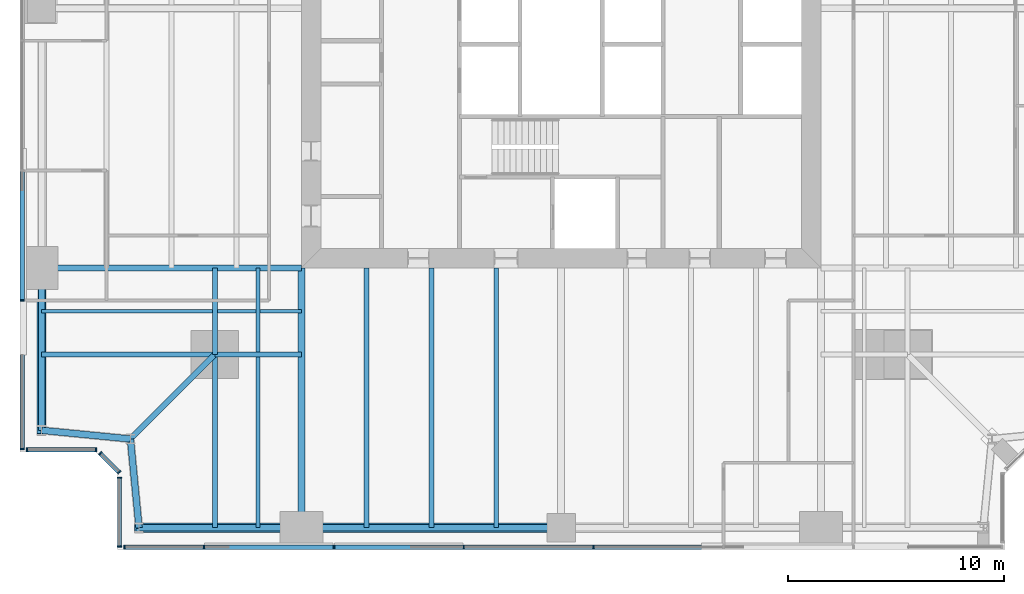
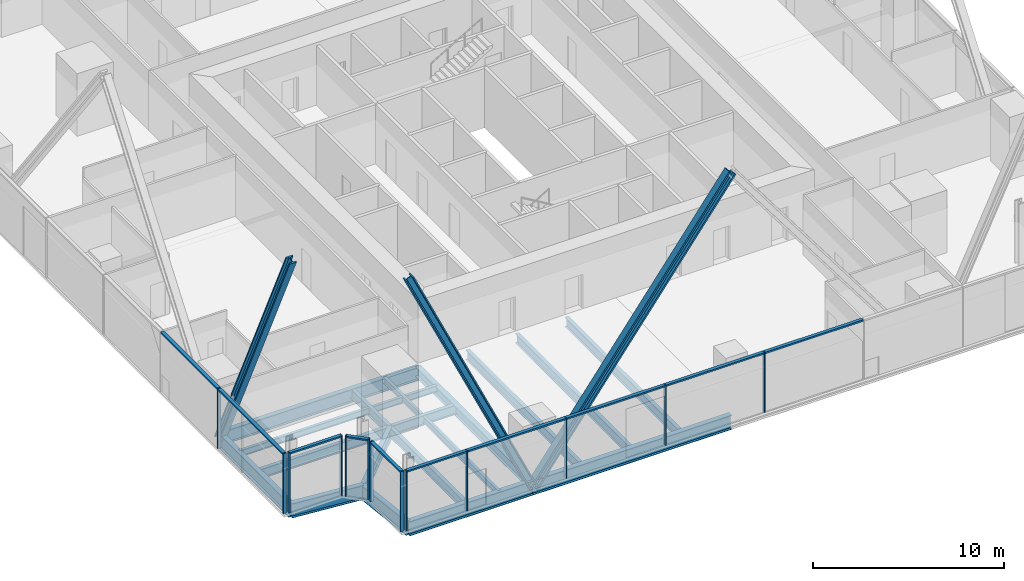
# One storey, part 2 of 14: 26 members, 20 beams, 5 elements without a shape of their own.
"""IFC4 building model written with IfcOpenShell, lengths in metres."""

from ifc_helpers import new_model, si_unit, direction, frame, origin, origin_2d, place, context, subcontext, project, spatial, rectangle, i_section, extrude, material, material_profile, profile_set, type_object, element, aggregate, save


model = new_model("IFC4")

# Units and contexts
model_context = context("Model", 3, precision=1e-05, world=origin(), true_north=direction((0.0, 1.0)))
body_context = subcontext(model_context, "Body", "Model", "MODEL_VIEW")
ifc_project = project(units=[si_unit("LENGTHUNIT", "METRE"), si_unit("AREAUNIT", "SQUARE_METRE"), si_unit("VOLUMEUNIT", "CUBIC_METRE"), si_unit("PLANEANGLEUNIT", "RADIAN"), si_unit("MASSUNIT", "GRAM", prefix="KILO")], contexts=[model_context])

# Site, building, storey
site_placement = place(None, origin())
site = spatial("IfcSite", under=ifc_project, at=site_placement, CompositionType="ELEMENT")
building_placement = place(site_placement, origin())
building = spatial("IfcBuilding", under=site, at=building_placement, Name="Fenwick Lantern Interchange", CompositionType="ELEMENT")
storey_placement = place(building_placement, frame((0.0, 0.0, 130.39990234375)))
storey = spatial("IfcBuildingStorey", under=building, at=storey_placement, Name="L30", CompositionType="ELEMENT", Elevation=130.39990234375)

# Beams
ifc_material_1 = material(Name="Steel ASTM A992 Grade 50", Category="steel")
ifc_material_profile_1 = material_profile(ifc_material_1, i_section(OverallWidth=0.3046875, OverallDepth=0.911865234375, WebThickness=0.015869140625, FlangeThickness=0.02392578125, at=origin_2d()), Name="W36X150")
ifc_profile_set_1 = profile_set([ifc_material_profile_1], Name="Steel ASTM A992 Grade 50")
beam_type_1 = type_object("IfcBeamType", Name="EDGE BEAM W36X150", PredefinedType="SPANDREL", material=ifc_profile_set_1)
beam_1_placement = place(storey_placement, frame((5.5, 1.0, -0.605712890625), z_axis=(1.0, 0.0, 0.0), x_axis=(0.0, 1.0, 0.0)))
element("IfcBeam", 1, at=beam_1_placement, inside=storey, type_object=beam_type_1, Name="L30/FR/S/EB1", PredefinedType="SPANDREL", context=body_context, shape_type="SweptSolid", body=[
    extrude(i_section(OverallWidth=0.3046875, OverallDepth=0.911865234375, WebThickness=0.015869140625, FlangeThickness=0.02392578125, at=origin_2d()), origin(), (0.0, 0.0, 1.0), 7.5),
])
beam_2_placement = place(storey_placement, frame((13.0, 1.0, -0.605712890625), z_axis=(1.0, 0.0, 0.0), x_axis=(0.0, 1.0, 0.0)))
element("IfcBeam", 2, at=beam_2_placement, inside=storey, type_object=beam_type_1, Name="L30/FR/S/EB2", PredefinedType="SPANDREL", context=body_context, shape_type="SweptSolid", body=[
    extrude(i_section(OverallWidth=0.3046875, OverallDepth=0.911865234375, WebThickness=0.015869140625, FlangeThickness=0.02392578125, at=origin_2d()), origin(), (0.0, 0.0, 1.0), 12.0),
])
beam_3_placement = place(storey_placement, frame((1.0, 13.0, -0.605712890625), z_axis=(0.0, -1.0, 0.0), x_axis=(1.0, 0.0, 0.0)))
element("IfcBeam", 3, at=beam_3_placement, inside=storey, type_object=beam_type_1, Name="L30/FR/W/EB4", PredefinedType="SPANDREL", context=body_context, shape_type="SweptSolid", body=[
    extrude(i_section(OverallWidth=0.3046875, OverallDepth=0.911865234375, WebThickness=0.015869140625, FlangeThickness=0.02392578125, at=origin_2d()), origin(), (0.0, 0.0, 1.0), 7.5),
])
for number, where, z_axis, x_axis, name in (
    (4, (1.0, 5.5, -0.605712890625), (0.995277148028, -0.097074191287, 0.0), (0.097074191287, 0.995277148028, 0.0), "L30/FR/W/EBR1"),
    (5, (5.10009765625, 5.10009765625, -0.605712890625), (0.097074191287, -0.995277148028, 0.0), (0.995277148028, 0.097074191287, 0.0), "L30/FR/W/EBR2"),
):
    element("IfcBeam", number, at=place(storey_placement, frame(where, z_axis=z_axis, x_axis=x_axis)), inside=storey, type_object=beam_type_1, Name=name, PredefinedType="SPANDREL", context=body_context, shape_type="SweptSolid", body=[
        extrude(i_section(OverallWidth=0.3046875, OverallDepth=0.911865234375, WebThickness=0.015869140625, FlangeThickness=0.02392578125, at=origin_2d()), origin(), (0.0, 0.0, 1.0), 4.11962890625),
    ])

# Members
ifc_material_profile_2 = material_profile(ifc_material_1, i_section(OverallWidth=0.424072265625, OverallDepth=0.47509765625, WebThickness=0.0478515625, FlangeThickness=0.0771484375, at=origin_2d()), Name="W14X426")
ifc_profile_set_2 = profile_set([ifc_material_profile_2], Name="Steel ASTM A992 Grade 50")
member_type_1 = type_object("IfcMemberType", Name="FACADE BRACE W14X426", PredefinedType="BRACE", material=ifc_profile_set_2)
for number, where, z_axis, x_axis, name in (
    (6, (13.0, 1.0, -0.605712890625), (-0.424433876231, 0.0, 0.905458935959), (0.0, -1.0, 0.0), "L30/FB/S/AE"),
    (7, (1.0, 13.0, -0.605712890625), (0.0, -0.424433876231, 0.905458935959), (1.0, 0.0, 0.0), "L30/FB/W/BE"),
):
    element("IfcMember", number, at=place(storey_placement, frame(where, z_axis=z_axis, x_axis=x_axis)), inside=storey, type_object=member_type_1, Name=name, PredefinedType="BRACE", context=body_context, shape_type="SweptSolid", body=[
        extrude(i_section(OverallWidth=0.424072265625, OverallDepth=0.47509765625, WebThickness=0.0478515625, FlangeThickness=0.0771484375, at=origin_2d()), origin(), (0.0, 0.0, 1.0), 17.670654296875),
    ])
ifc_material_profile_3 = material_profile(ifc_material_1, i_section(OverallWidth=0.44189453125, OverallDepth=0.53076171875, WebThickness=0.06591796875, FlangeThickness=0.105712890625, at=origin_2d()), Name="W14X605")
ifc_profile_set_3 = profile_set([ifc_material_profile_3], Name="Steel ASTM A992 Grade 50")
member_type_2 = type_object("IfcMemberType", Name="FACADE BRACE W14X605", PredefinedType="BRACE", material=ifc_profile_set_3)
member_1_placement = place(storey_placement, frame((13.0, 1.0, -0.605712890625), z_axis=(0.6, 0.0, 0.8), x_axis=(0.0, 1.0, 0.0)))
element("IfcMember", 8, at=member_1_placement, inside=storey, type_object=member_type_2, Name="L30/FB/S/A", PredefinedType="BRACE", context=body_context, shape_type="SweptSolid", body=[
    extrude(i_section(OverallWidth=0.44189453125, OverallDepth=0.53076171875, WebThickness=0.06591796875, FlangeThickness=0.105712890625, at=origin_2d()), origin(), (0.0, 0.0, 1.0), 20.0),
])

# Beams
ifc_material_profile_4 = material_profile(ifc_material_1, i_section(OverallWidth=0.22900390625, OverallDepth=0.612060546875, WebThickness=0.011962890625, FlangeThickness=0.01953125, at=origin_2d()), Name="W24X84")
ifc_profile_set_4 = profile_set([ifc_material_profile_4], Name="Steel ASTM A992 Grade 50")
beam_type_2 = type_object("IfcBeamType", Name="FLOOR BEAM W24X84", PredefinedType="BEAM", material=ifc_profile_set_4)
for number, where, z_axis, x_axis, name in (
    (9, (16.0, 1.0, -0.4560546875), (0.0, 1.0, 0.0), (-1.0, 0.0, 0.0), "L30/FR/S/R02"),
    (10, (19.0, 1.0, -0.4560546875), (0.0, 1.0, 0.0), (-1.0, 0.0, 0.0), "L30/FR/S/R03"),
    (11, (22.0, 1.0, -0.4560546875), (0.0, 1.0, 0.0), (-1.0, 0.0, 0.0), "L30/FR/S/R04"),
):
    element("IfcBeam", number, at=place(storey_placement, frame(where, z_axis=z_axis, x_axis=x_axis)), inside=storey, type_object=beam_type_2, Name=name, PredefinedType="BEAM", context=body_context, shape_type="SweptSolid", body=[
        extrude(i_section(OverallWidth=0.22900390625, OverallDepth=0.612060546875, WebThickness=0.011962890625, FlangeThickness=0.01953125, at=origin_2d()), origin(), (0.0, 0.0, 1.0), 12.0),
    ])
ifc_material_profile_5 = material_profile(ifc_material_1, i_section(OverallWidth=0.177734375, OverallDepth=0.406494140625, WebThickness=0.0078125, FlangeThickness=0.012939453125, at=origin_2d()), Name="W16X40")
ifc_profile_set_5 = profile_set([ifc_material_profile_5], Name="Steel ASTM A992 Grade 50")
beam_type_3 = type_object("IfcBeamType", Name="INFILL BEAM W16X40", PredefinedType="JOIST", material=ifc_profile_set_5)
beam_4_placement = place(storey_placement, frame((11.0, 1.0, -0.35302734375), z_axis=(0.0, 1.0, 0.0), x_axis=(-1.0, 0.0, 0.0)))
element("IfcBeam", 12, at=beam_4_placement, inside=storey, type_object=beam_type_3, Name="L30/FR/S/J1", PredefinedType="JOIST", context=body_context, shape_type="SweptSolid", body=[
    extrude(i_section(OverallWidth=0.177734375, OverallDepth=0.406494140625, WebThickness=0.0078125, FlangeThickness=0.012939453125, at=origin_2d()), origin(), (0.0, 0.0, 1.0), 7.885498046875),
])
beam_5_placement = place(storey_placement, frame((11.0, 9.114501953125, -0.35302734375), z_axis=(0.0, 1.0, 0.0), x_axis=(-1.0, 0.0, 0.0)))
element("IfcBeam", 13, at=beam_5_placement, inside=storey, type_object=beam_type_3, Name="L30/FR/S/J2", PredefinedType="JOIST", context=body_context, shape_type="SweptSolid", body=[
    extrude(i_section(OverallWidth=0.177734375, OverallDepth=0.406494140625, WebThickness=0.0078125, FlangeThickness=0.012939453125, at=origin_2d()), origin(), (0.0, 0.0, 1.0), 3.885498046875),
])
beam_6_placement = place(storey_placement, frame((1.0, 11.0, -0.35302734375), z_axis=(1.0, 0.0, 0.0), x_axis=(0.0, 1.0, 0.0)))
element("IfcBeam", 14, at=beam_6_placement, inside=storey, type_object=beam_type_3, Name="L30/FR/S/J3", PredefinedType="JOIST", context=body_context, shape_type="SweptSolid", body=[
    extrude(i_section(OverallWidth=0.177734375, OverallDepth=0.406494140625, WebThickness=0.0078125, FlangeThickness=0.012939453125, at=origin_2d()), origin(), (0.0, 0.0, 1.0), 7.885498046875),
])
beam_7_placement = place(storey_placement, frame((9.114501953125, 11.0, -0.35302734375), z_axis=(1.0, 0.0, 0.0), x_axis=(0.0, 1.0, 0.0)))
element("IfcBeam", 15, at=beam_7_placement, inside=storey, type_object=beam_type_3, Name="L30/FR/S/J4", PredefinedType="JOIST", context=body_context, shape_type="SweptSolid", body=[
    extrude(i_section(OverallWidth=0.177734375, OverallDepth=0.406494140625, WebThickness=0.0078125, FlangeThickness=0.012939453125, at=origin_2d()), origin(), (0.0, 0.0, 1.0), 1.796630859375),
])
beam_8_placement = place(storey_placement, frame((11.0888671875, 11.0, -0.35302734375), z_axis=(1.0, 0.0, 0.0), x_axis=(0.0, 1.0, 0.0)))
element("IfcBeam", 16, at=beam_8_placement, inside=storey, type_object=beam_type_3, Name="L30/FR/S/J5", PredefinedType="JOIST", context=body_context, shape_type="SweptSolid", body=[
    extrude(i_section(OverallWidth=0.177734375, OverallDepth=0.406494140625, WebThickness=0.0078125, FlangeThickness=0.012939453125, at=origin_2d()), origin(), (0.0, 0.0, 1.0), 1.9111328125),
])
ifc_material_profile_6 = material_profile(ifc_material_1, i_section(OverallWidth=0.22900390625, OverallDepth=0.612060546875, WebThickness=0.011962890625, FlangeThickness=0.01953125, at=origin_2d()), Name="W24X84")
ifc_profile_set_6 = profile_set([ifc_material_profile_6], Name="Steel ASTM A992 Grade 50")
beam_type_4 = type_object("IfcBeamType", Name="MEGA COLUMN BEAM W24X84", PredefinedType="BEAM", material=ifc_profile_set_6)
for number, where, z_axis, x_axis, name in (
    (17, (9.0, 9.0, -0.4560546875), (0.0, -1.0, 0.0), (1.0, 0.0, 0.0), "L30/FR/S/MB1"),
    (18, (9.0, 9.0, -0.4560546875), (-1.0, 0.0, 0.0), (0.0, -1.0, 0.0), "L30/FR/S/MB2"),
):
    element("IfcBeam", number, at=place(storey_placement, frame(where, z_axis=z_axis, x_axis=x_axis)), inside=storey, type_object=beam_type_4, Name=name, PredefinedType="BEAM", context=body_context, shape_type="SweptSolid", body=[
        extrude(i_section(OverallWidth=0.22900390625, OverallDepth=0.612060546875, WebThickness=0.011962890625, FlangeThickness=0.01953125, at=origin_2d()), origin(), (0.0, 0.0, 1.0), 8.0),
    ])
for number, where, z_axis, x_axis, name in (
    (19, (9.0, 9.0, -0.4560546875), (1.0, 0.0, 0.0), (0.0, 1.0, 0.0), "L30/FR/S/MB3"),
    (20, (9.0, 9.0, -0.4560546875), (0.0, 1.0, 0.0), (-1.0, 0.0, 0.0), "L30/FR/S/MB4"),
):
    element("IfcBeam", number, at=place(storey_placement, frame(where, z_axis=z_axis, x_axis=x_axis)), inside=storey, type_object=beam_type_4, Name=name, PredefinedType="BEAM", context=body_context, shape_type="SweptSolid", body=[
        extrude(i_section(OverallWidth=0.22900390625, OverallDepth=0.612060546875, WebThickness=0.011962890625, FlangeThickness=0.01953125, at=origin_2d()), origin(), (0.0, 0.0, 1.0), 4.0),
    ])
ifc_material_profile_7 = material_profile(ifc_material_1, i_section(OverallWidth=0.32763671875, OverallDepth=0.622314453125, WebThickness=0.015380859375, FlangeThickness=0.0244140625, at=origin_2d()), Name="W24X131")
ifc_profile_set_7 = profile_set([ifc_material_profile_7], Name="Steel ASTM A992 Grade 50")
beam_type_5 = type_object("IfcBeamType", Name="MOMENT-CONNECTED GIRDER W24X131", PredefinedType="BEAM", material=ifc_profile_set_7)
beam_9_placement = place(storey_placement, frame((13.0, 1.0, -0.4609375), z_axis=(0.0, 1.0, 0.0), x_axis=(-1.0, 0.0, 0.0)))
element("IfcBeam", 21, at=beam_9_placement, inside=storey, type_object=beam_type_5, Name="L30/FR/S/R01", PredefinedType="BEAM", context=body_context, shape_type="SweptSolid", body=[
    extrude(i_section(OverallWidth=0.32763671875, OverallDepth=0.622314453125, WebThickness=0.015380859375, FlangeThickness=0.0244140625, at=origin_2d()), origin(), (0.0, 0.0, 1.0), 12.0),
])
ifc_material_profile_8 = material_profile(ifc_material_1, i_section(OverallWidth=0.2919921875, OverallDepth=0.845703125, WebThickness=0.015380859375, FlangeThickness=0.0244140625, at=origin_2d()), Name="W33X141")
ifc_profile_set_8 = profile_set([ifc_material_profile_8], Name="Steel ASTM A992 Grade 50")
beam_type_6 = type_object("IfcBeamType", Name="MOMENT-CONNECTED GIRDER W33X141", PredefinedType="BEAM", material=ifc_profile_set_8)
beam_10_placement = place(storey_placement, frame((1.0, 13.0, -0.57275390625), z_axis=(1.0, 0.0, 0.0), x_axis=(0.0, 1.0, 0.0)))
element("IfcBeam", 22, at=beam_10_placement, inside=storey, type_object=beam_type_6, Name="L30/FR/W/R03", PredefinedType="BEAM", context=body_context, shape_type="SweptSolid", body=[
    extrude(i_section(OverallWidth=0.2919921875, OverallDepth=0.845703125, WebThickness=0.015380859375, FlangeThickness=0.0244140625, at=origin_2d()), origin(), (0.0, 0.0, 1.0), 12.0),
])
ifc_material_profile_9 = material_profile(ifc_material_1, i_section(OverallWidth=0.2666015625, OverallDepth=0.7568359375, WebThickness=0.013916015625, FlangeThickness=0.019287109375, at=origin_2d()), Name="W30X108")
ifc_profile_set_9 = profile_set([ifc_material_profile_9], Name="Steel ASTM A992 Grade 50")
beam_type_7 = type_object("IfcBeamType", Name="NOTCH BEAM W30X108", PredefinedType="BEAM", material=ifc_profile_set_9)
beam_11_placement = place(storey_placement, frame((9.0, 9.0, -0.5283203125), z_axis=(-0.707106781187, -0.707106781187, 0.0), x_axis=(0.707106781187, -0.707106781187, 0.0)))
element("IfcBeam", 23, at=beam_11_placement, inside=storey, type_object=beam_type_7, Name="L30/FR/S/TG", PredefinedType="BEAM", context=body_context, shape_type="SweptSolid", body=[
    extrude(i_section(OverallWidth=0.2666015625, OverallDepth=0.7568359375, WebThickness=0.013916015625, FlangeThickness=0.019287109375, at=origin_2d()), origin(), (0.0, 0.0, 1.0), 5.515380859375),
])

# Curtain wall, members
ifc_material_2 = material(Name="Aluminium curtain wall frame", Category="aluminium")
curtain_wall_type = type_object("IfcCurtainWallType", Name="OFFICE CURTAIN WALL", PredefinedType="USERDEFINED", material=ifc_material_2)
curtain_wall_1_placement = place(storey_placement, origin())
curtain_wall_1 = element("IfcCurtainWall", 24, at=curtain_wall_1_placement, inside=storey, type_object=curtain_wall_type, Name="Office curtain wall 01", ObjectType="OFFICE CURTAIN WALL", PredefinedType="USERDEFINED")
ifc_material_3 = material(Name="Aluminium extrusion", Category="aluminium")
ifc_material_profile_10 = material_profile(ifc_material_3, rectangle(XDim=0.199951171875, YDim=0.06494140625, at=origin_2d()), Name="OFFICE CURTAIN WALL MULLION 65 X 200")
ifc_profile_set_10 = profile_set([ifc_material_profile_10], Name="Aluminium extrusion")
member_type_3 = type_object("IfcMemberType", Name="OFFICE CURTAIN WALL MULLION 65 X 200", PredefinedType="MULLION", material=ifc_profile_set_10)
member_2_placement = place(storey_placement, frame((4.83251953125, 0.10009765625, 0.0), z_axis=(0.0, 0.0, 1.0), x_axis=(0.0, 1.0, 0.0)))
member_2 = element("IfcMember", 25, at=member_2_placement, type_object=member_type_3, Name="L30/CW/01/M00", PredefinedType="MULLION", context=body_context, shape_type="SweptSolid", body=[
    extrude(rectangle(XDim=0.199951171875, YDim=0.06494140625, at=origin_2d()), origin(), (0.0, 0.0, 1.0), 3.85009765625),
])
member_3_placement = place(storey_placement, frame((8.5, 0.10009765625, 0.0), z_axis=(0.0, 0.0, 1.0), x_axis=(0.0, 1.0, 0.0)))
member_3 = element("IfcMember", 26, at=member_3_placement, type_object=member_type_3, Name="L30/CW/01/M01", PredefinedType="MULLION", context=body_context, shape_type="SweptSolid", body=[
    extrude(rectangle(XDim=0.199951171875, YDim=0.06494140625, at=origin_2d()), origin(), (0.0, 0.0, 1.0), 3.85009765625),
])
member_4_placement = place(storey_placement, frame((14.5, 0.10009765625, 0.0), z_axis=(0.0, 0.0, 1.0), x_axis=(0.0, 1.0, 0.0)))
member_4 = element("IfcMember", 27, at=member_4_placement, type_object=member_type_3, Name="L30/CW/01/M02", PredefinedType="MULLION", context=body_context, shape_type="SweptSolid", body=[
    extrude(rectangle(XDim=0.199951171875, YDim=0.06494140625, at=origin_2d()), origin(), (0.0, 0.0, 1.0), 3.85009765625),
])
member_5_placement = place(storey_placement, frame((20.5, 0.10009765625, 0.0), z_axis=(0.0, 0.0, 1.0), x_axis=(0.0, 1.0, 0.0)))
member_5 = element("IfcMember", 28, at=member_5_placement, type_object=member_type_3, Name="L30/CW/01/M03", PredefinedType="MULLION", context=body_context, shape_type="SweptSolid", body=[
    extrude(rectangle(XDim=0.199951171875, YDim=0.06494140625, at=origin_2d()), origin(), (0.0, 0.0, 1.0), 3.85009765625),
])
member_6_placement = place(storey_placement, frame((26.5, 0.10009765625, 0.0), z_axis=(0.0, 0.0, 1.0), x_axis=(0.0, 1.0, 0.0)))
member_6 = element("IfcMember", 29, at=member_6_placement, type_object=member_type_3, Name="L30/CW/01/M04", PredefinedType="MULLION", context=body_context, shape_type="SweptSolid", body=[
    extrude(rectangle(XDim=0.199951171875, YDim=0.06494140625, at=origin_2d()), origin(), (0.0, 0.0, 1.0), 3.85009765625),
])

curtain_wall_2_placement = place(storey_placement, origin())
curtain_wall_2 = element("IfcCurtainWall", 30, at=curtain_wall_2_placement, inside=storey, type_object=curtain_wall_type, Name="Office curtain wall 13", ObjectType="OFFICE CURTAIN WALL", PredefinedType="USERDEFINED")
member_7_placement = place(storey_placement, frame((0.10009765625, 11.5, 0.0), z_axis=(0.0, 0.0, 1.0), x_axis=(1.0, 0.0, 0.0)))
member_7 = element("IfcMember", 31, at=member_7_placement, type_object=member_type_3, Name="L30/CW/13/M06", PredefinedType="MULLION", context=body_context, shape_type="SweptSolid", body=[
    extrude(rectangle(XDim=0.199951171875, YDim=0.06494140625, at=origin_2d()), origin(), (0.0, 0.0, 1.0), 3.85009765625),
])
member_8_placement = place(storey_placement, frame((0.10009765625, 4.632568359375, 0.0), z_axis=(0.0, 0.0, 1.0), x_axis=(1.0, 0.0, 0.0)))
member_8 = element("IfcMember", 32, at=member_8_placement, type_object=member_type_3, Name="L30/CW/13/M07", PredefinedType="MULLION", context=body_context, shape_type="SweptSolid", body=[
    extrude(rectangle(XDim=0.199951171875, YDim=0.06494140625, at=origin_2d()), origin(), (0.0, 0.0, 1.0), 3.85009765625),
])

curtain_wall_3_placement = place(storey_placement, origin())
curtain_wall_3 = element("IfcCurtainWall", 33, at=curtain_wall_3_placement, inside=storey, type_object=curtain_wall_type, Name="Office curtain wall 14", ObjectType="OFFICE CURTAIN WALL", PredefinedType="USERDEFINED")
member_9_placement = place(storey_placement, frame((0.33251953125, 4.60009765625, 0.0), z_axis=(0.0, 0.0, 1.0), x_axis=(0.0, 1.0, 0.0)))
member_9 = element("IfcMember", 34, at=member_9_placement, type_object=member_type_3, Name="L30/CW/14/M00", PredefinedType="MULLION", context=body_context, shape_type="SweptSolid", body=[
    extrude(rectangle(XDim=0.199951171875, YDim=0.06494140625, at=origin_2d()), origin(), (0.0, 0.0, 1.0), 3.85009765625),
])
member_10_placement = place(storey_placement, frame((3.509033203125, 4.60009765625, 0.0), z_axis=(0.0, 0.0, 1.0), x_axis=(0.0, 1.0, 0.0)))
member_10 = element("IfcMember", 35, at=member_10_placement, type_object=member_type_3, Name="L30/CW/14/M01", PredefinedType="MULLION", context=body_context, shape_type="SweptSolid", body=[
    extrude(rectangle(XDim=0.199951171875, YDim=0.06494140625, at=origin_2d()), origin(), (0.0, 0.0, 1.0), 3.85009765625),
])

curtain_wall_4_placement = place(storey_placement, origin())
curtain_wall_4 = element("IfcCurtainWall", 36, at=curtain_wall_4_placement, inside=storey, type_object=curtain_wall_type, Name="Office curtain wall 15", ObjectType="OFFICE CURTAIN WALL", PredefinedType="USERDEFINED")
member_11_placement = place(storey_placement, frame((3.705810546875, 4.435546875, 0.0), z_axis=(0.0, 0.0, 1.0), x_axis=(0.707106781187, 0.707106781187, 0.0)))
member_11 = element("IfcMember", 37, at=member_11_placement, type_object=member_type_3, Name="L30/CW/15/M00", PredefinedType="MULLION", context=body_context, shape_type="SweptSolid", body=[
    extrude(rectangle(XDim=0.199951171875, YDim=0.06494140625, at=origin_2d()), origin(), (0.0, 0.0, 1.0), 3.85009765625),
])
member_12_placement = place(storey_placement, frame((4.576904296875, 3.564453125, 0.0), z_axis=(0.0, 0.0, 1.0), x_axis=(0.707106781187, 0.707106781187, 0.0)))
member_12 = element("IfcMember", 38, at=member_12_placement, type_object=member_type_3, Name="L30/CW/15/M01", PredefinedType="MULLION", context=body_context, shape_type="SweptSolid", body=[
    extrude(rectangle(XDim=0.199951171875, YDim=0.06494140625, at=origin_2d()), origin(), (0.0, 0.0, 1.0), 3.85009765625),
])

curtain_wall_5_placement = place(storey_placement, origin())
curtain_wall_5 = element("IfcCurtainWall", 39, at=curtain_wall_5_placement, inside=storey, type_object=curtain_wall_type, Name="Office curtain wall 16", ObjectType="OFFICE CURTAIN WALL", PredefinedType="USERDEFINED")
member_13_placement = place(storey_placement, frame((4.60009765625, 3.308837890625, 0.0), z_axis=(0.0, 0.0, 1.0), x_axis=(1.0, 0.0, 0.0)))
member_13 = element("IfcMember", 40, at=member_13_placement, type_object=member_type_3, Name="L30/CW/16/M00", PredefinedType="MULLION", context=body_context, shape_type="SweptSolid", body=[
    extrude(rectangle(XDim=0.199951171875, YDim=0.06494140625, at=origin_2d()), origin(), (0.0, 0.0, 1.0), 3.85009765625),
])
member_14_placement = place(storey_placement, frame((4.60009765625, 0.132568359375, 0.0), z_axis=(0.0, 0.0, 1.0), x_axis=(1.0, 0.0, 0.0)))
member_14 = element("IfcMember", 41, at=member_14_placement, type_object=member_type_3, Name="L30/CW/16/M01", PredefinedType="MULLION", context=body_context, shape_type="SweptSolid", body=[
    extrude(rectangle(XDim=0.199951171875, YDim=0.06494140625, at=origin_2d()), origin(), (0.0, 0.0, 1.0), 3.85009765625),
])

# Member
ifc_material_profile_11 = material_profile(ifc_material_3, rectangle(XDim=0.199951171875, YDim=0.10009765625, at=origin_2d()), Name="OFFICE CURTAIN WALL TRANSOM 100 X 200")
ifc_profile_set_11 = profile_set([ifc_material_profile_11], Name="Aluminium extrusion")
member_type_4 = type_object("IfcMemberType", Name="OFFICE CURTAIN WALL TRANSOM 100 X 200", PredefinedType="MULLION", material=ifc_profile_set_11)
member_15_placement = place(storey_placement, frame((4.864990234375, 0.10009765625, 3.800048828125), z_axis=(1.0, 0.0, 0.0), x_axis=(0.0, 1.0, 0.0)))
member_15 = element("IfcMember", 42, at=member_15_placement, type_object=member_type_4, Name="L30/CW/01/T00", PredefinedType="MULLION", context=body_context, shape_type="SweptSolid", body=[
    extrude(rectangle(XDim=0.199951171875, YDim=0.10009765625, at=origin_2d()), origin(), (0.0, 0.0, 1.0), 3.6025390625),
])

member_16_placement = place(storey_placement, frame((8.532470703125, 0.10009765625, 3.800048828125), z_axis=(1.0, 0.0, 0.0), x_axis=(0.0, 1.0, 0.0)))
member_16 = element("IfcMember", 43, at=member_16_placement, type_object=member_type_4, Name="L30/CW/01/T01", PredefinedType="MULLION", context=body_context, shape_type="SweptSolid", body=[
    extrude(rectangle(XDim=0.199951171875, YDim=0.10009765625, at=origin_2d()), origin(), (0.0, 0.0, 1.0), 5.93505859375),
])

member_17_placement = place(storey_placement, frame((14.532470703125, 0.10009765625, 3.800048828125), z_axis=(1.0, 0.0, 0.0), x_axis=(0.0, 1.0, 0.0)))
member_17 = element("IfcMember", 44, at=member_17_placement, type_object=member_type_4, Name="L30/CW/01/T02", PredefinedType="MULLION", context=body_context, shape_type="SweptSolid", body=[
    extrude(rectangle(XDim=0.199951171875, YDim=0.10009765625, at=origin_2d()), origin(), (0.0, 0.0, 1.0), 5.93505859375),
])

member_18_placement = place(storey_placement, frame((20.532470703125, 0.10009765625, 3.800048828125), z_axis=(1.0, 0.0, 0.0), x_axis=(0.0, 1.0, 0.0)))
member_18 = element("IfcMember", 45, at=member_18_placement, type_object=member_type_4, Name="L30/CW/01/T03", PredefinedType="MULLION", context=body_context, shape_type="SweptSolid", body=[
    extrude(rectangle(XDim=0.199951171875, YDim=0.10009765625, at=origin_2d()), origin(), (0.0, 0.0, 1.0), 5.93505859375),
])

member_19_placement = place(storey_placement, frame((26.532470703125, 0.10009765625, 3.800048828125), z_axis=(1.0, 0.0, 0.0), x_axis=(0.0, 1.0, 0.0)))
member_19 = element("IfcMember", 46, at=member_19_placement, type_object=member_type_4, Name="L30/CW/01/T04", PredefinedType="MULLION", context=body_context, shape_type="SweptSolid", body=[
    extrude(rectangle(XDim=0.199951171875, YDim=0.10009765625, at=origin_2d()), origin(), (0.0, 0.0, 1.0), 5.93505859375),
])

aggregate(curtain_wall_1, [member_2, member_3, member_4, member_5, member_6, member_15, member_16, member_17, member_18, member_19])

member_20_placement = place(storey_placement, frame((0.10009765625, 17.467529296875, 3.800048828125), z_axis=(0.0, -1.0, 0.0), x_axis=(1.0, 0.0, 0.0)))
member_20 = element("IfcMember", 47, at=member_20_placement, type_object=member_type_4, Name="L30/CW/13/T05", PredefinedType="MULLION", context=body_context, shape_type="SweptSolid", body=[
    extrude(rectangle(XDim=0.199951171875, YDim=0.10009765625, at=origin_2d()), origin(), (0.0, 0.0, 1.0), 5.93505859375),
])

member_21_placement = place(storey_placement, frame((0.10009765625, 11.467529296875, 3.800048828125), z_axis=(0.0, -1.0, 0.0), x_axis=(1.0, 0.0, 0.0)))
member_21 = element("IfcMember", 48, at=member_21_placement, type_object=member_type_4, Name="L30/CW/13/T06", PredefinedType="MULLION", context=body_context, shape_type="SweptSolid", body=[
    extrude(rectangle(XDim=0.199951171875, YDim=0.10009765625, at=origin_2d()), origin(), (0.0, 0.0, 1.0), 6.802490234375),
])

aggregate(curtain_wall_2, [member_7, member_8, member_20, member_21])

member_22_placement = place(storey_placement, frame((0.364990234375, 4.60009765625, 3.800048828125), z_axis=(1.0, 0.0, 0.0), x_axis=(0.0, 1.0, 0.0)))
member_22 = element("IfcMember", 49, at=member_22_placement, type_object=member_type_4, Name="L30/CW/14/T00", PredefinedType="MULLION", context=body_context, shape_type="SweptSolid", body=[
    extrude(rectangle(XDim=0.199951171875, YDim=0.10009765625, at=origin_2d()), origin(), (0.0, 0.0, 1.0), 3.111328125),
])

aggregate(curtain_wall_3, [member_9, member_10, member_22])

member_23_placement = place(storey_placement, frame((3.728759765625, 4.41259765625, 3.800048828125), z_axis=(0.707106781187, -0.707106781187, 0.0), x_axis=(0.707106781187, 0.707106781187, 0.0)))
member_23 = element("IfcMember", 50, at=member_23_placement, type_object=member_type_4, Name="L30/CW/15/T00", PredefinedType="MULLION", context=body_context, shape_type="SweptSolid", body=[
    extrude(rectangle(XDim=0.199951171875, YDim=0.10009765625, at=origin_2d()), origin(), (0.0, 0.0, 1.0), 1.1669921875),
])

aggregate(curtain_wall_4, [member_11, member_12, member_23])

member_24_placement = place(storey_placement, frame((4.60009765625, 3.2763671875, 3.800048828125), z_axis=(0.0, -1.0, 0.0), x_axis=(1.0, 0.0, 0.0)))
member_24 = element("IfcMember", 51, at=member_24_placement, type_object=member_type_4, Name="L30/CW/16/T00", PredefinedType="MULLION", context=body_context, shape_type="SweptSolid", body=[
    extrude(rectangle(XDim=0.199951171875, YDim=0.10009765625, at=origin_2d()), origin(), (0.0, 0.0, 1.0), 3.111328125),
])

aggregate(curtain_wall_5, [member_13, member_14, member_24])

save(model, "model.ifc")
